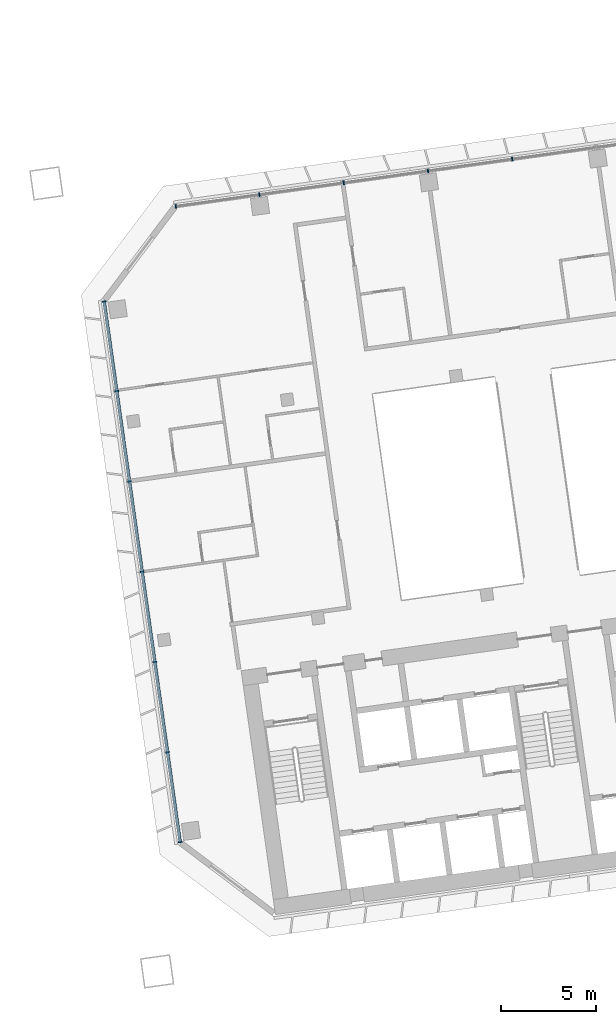
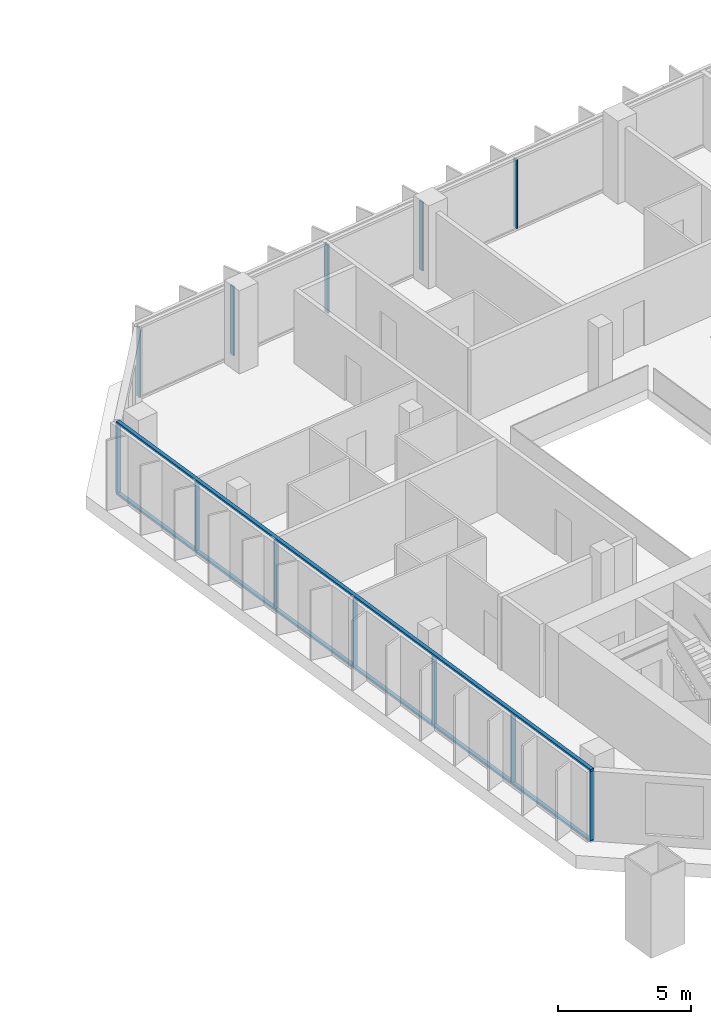
# One storey, part 7 of 26: 14 members, 2 elements without a shape of their own.
"""IFC4 building model written with IfcOpenShell, lengths in metres."""

from ifc_helpers import new_model, si_unit, direction, frame, origin, origin_2d, place, context, subcontext, project, spatial, rectangle, extrude, material, material_profile, profile_set, type_object, element, aggregate, save


model = new_model("IFC4")

# Units and contexts
model_context = context("Model", 3, precision=1e-05, world=origin(), true_north=direction((0.0, 1.0)))
body_context = subcontext(model_context, "Body", "Model", "MODEL_VIEW")
ifc_project = project(units=[si_unit("LENGTHUNIT", "METRE"), si_unit("AREAUNIT", "SQUARE_METRE"), si_unit("VOLUMEUNIT", "CUBIC_METRE"), si_unit("PLANEANGLEUNIT", "RADIAN"), si_unit("MASSUNIT", "GRAM", prefix="KILO")], contexts=[model_context])

# Site, building, storey
site_placement = place(None, origin())
site = spatial("IfcSite", under=ifc_project, at=site_placement, CompositionType="ELEMENT")
building_placement = place(site_placement, origin())
building = spatial("IfcBuilding", under=site, at=building_placement, Name="Mirante Cascada Hotel Towers", CompositionType="ELEMENT")
storey_placement = place(building_placement, frame((0.0, 0.0, 113.9)))
storey = spatial("IfcBuildingStorey", under=building, at=storey_placement, Name="L25", CompositionType="ELEMENT", Elevation=113.9)

# Curtain wall, members
ifc_material_1 = material(Name="Aluminium mullion and transom frame with clear laminated glass", Category="aluminium")
curtain_wall_type_1 = type_object("IfcCurtainWallType", Name="Ribbon curtain wall ECW1", PredefinedType="NOTDEFINED", material=ifc_material_1)
curtain_wall_1_placement = place(storey_placement, origin())
curtain_wall_1 = element("IfcCurtainWall", 1, at=curtain_wall_1_placement, inside=storey, type_object=curtain_wall_type_1, Name="Front ribbon wall T2 L25", PredefinedType="NOTDEFINED")
ifc_material_2 = material(Name="Anodised aluminium extrusion", Category="aluminium")
ifc_material_profile_1 = material_profile(ifc_material_2, rectangle(XDim=0.2, YDim=0.065, at=origin_2d()), Name="ECW1 MULLION 65x200")
ifc_profile_set_1 = profile_set([ifc_material_profile_1], Name="Anodised aluminium extrusion")
member_type_1 = type_object("IfcMemberType", Name="ECW1 mullion 65x200", PredefinedType="MULLION", material=ifc_profile_set_1)
member_1_placement = place(storey_placement, frame((49.684, 19.8017, 0.1), z_axis=(0.0, 0.0, 1.0), x_axis=(0.1391731, -0.9902681, 0.0)))
member_1 = element("IfcMember", 2, at=member_1_placement, type_object=member_type_1, Name="ECW1 mullion 11", PredefinedType="MULLION", context=body_context, shape_type="SweptSolid", body=[
    extrude(rectangle(XDim=0.2, YDim=0.065, at=origin_2d()), origin(), (0.0, 0.0, 1.0), 3.15),
])
member_2_placement = place(storey_placement, frame((45.2366, 19.1766, 0.1), z_axis=(0.0, 0.0, 1.0), x_axis=(0.1391731, -0.9902681, 0.0)))
member_2 = element("IfcMember", 3, at=member_2_placement, type_object=member_type_1, Name="ECW1 mullion 12", PredefinedType="MULLION", context=body_context, shape_type="SweptSolid", body=[
    extrude(rectangle(XDim=0.2, YDim=0.065, at=origin_2d()), origin(), (0.0, 0.0, 1.0), 3.15),
])
member_3_placement = place(storey_placement, frame((40.7892, 18.5516, 0.1), z_axis=(0.0, 0.0, 1.0), x_axis=(0.1391731, -0.9902681, 0.0)))
member_3 = element("IfcMember", 4, at=member_3_placement, type_object=member_type_1, Name="ECW1 mullion 13", PredefinedType="MULLION", context=body_context, shape_type="SweptSolid", body=[
    extrude(rectangle(XDim=0.2, YDim=0.065, at=origin_2d()), origin(), (0.0, 0.0, 1.0), 3.15),
])
member_4_placement = place(storey_placement, frame((36.3417, 17.9265, 0.1), z_axis=(0.0, 0.0, 1.0), x_axis=(0.1391731, -0.9902681, 0.0)))
member_4 = element("IfcMember", 5, at=member_4_placement, type_object=member_type_1, Name="ECW1 mullion 14", PredefinedType="MULLION", context=body_context, shape_type="SweptSolid", body=[
    extrude(rectangle(XDim=0.2, YDim=0.065, at=origin_2d()), origin(), (0.0, 0.0, 1.0), 3.15),
])
member_5_placement = place(storey_placement, frame((31.9265, 17.306, 0.1), z_axis=(0.0, 0.0, 1.0), x_axis=(0.1391731, -0.9902681, 0.0)))
member_5 = element("IfcMember", 6, at=member_5_placement, type_object=member_type_1, Name="ECW1 mullion 15", PredefinedType="MULLION", context=body_context, shape_type="SweptSolid", body=[
    extrude(rectangle(XDim=0.2, YDim=0.065, at=origin_2d()), origin(), (0.0, 0.0, 1.0), 3.15),
])
aggregate(curtain_wall_1, [member_1, member_2, member_3, member_4, member_5])

ifc_material_3 = material(Name="Aluminium mullion and transom frame with clear laminated glass", Category="aluminium")
curtain_wall_type_2 = type_object("IfcCurtainWallType", Name="End ribbon curtain wall ECW2", PredefinedType="NOTDEFINED", material=ifc_material_3)
curtain_wall_2_placement = place(storey_placement, origin())
curtain_wall_2 = element("IfcCurtainWall", 7, at=curtain_wall_2_placement, inside=storey, type_object=curtain_wall_type_2, Name="Inner end wall T2 L25", PredefinedType="NOTDEFINED")
ifc_material_4 = material(Name="Anodised aluminium extrusion", Category="aluminium")
ifc_material_profile_2 = material_profile(ifc_material_4, rectangle(XDim=0.2, YDim=0.065, at=origin_2d()), Name="ECW2 MULLION 65x200")
ifc_profile_set_2 = profile_set([ifc_material_profile_2], Name="Anodised aluminium extrusion")
member_type_2 = type_object("IfcMemberType", Name="ECW2 mullion 65x200", PredefinedType="MULLION", material=ifc_profile_set_2)
member_6_placement = place(storey_placement, frame((28.1437, 12.2861, 0.1), z_axis=(0.0, 0.0, 1.0), x_axis=(0.9902681, 0.1391731, 0.0)))
member_6 = element("IfcMember", 8, at=member_6_placement, type_object=member_type_2, Name="ECW2 mullion 1", PredefinedType="MULLION", context=body_context, shape_type="SweptSolid", body=[
    extrude(rectangle(XDim=0.2, YDim=0.065, at=origin_2d()), origin(), (0.0, 0.0, 1.0), 3.15),
])
member_7_placement = place(storey_placement, frame((28.809, 7.5524, 0.1), z_axis=(0.0, 0.0, 1.0), x_axis=(0.9902681, 0.1391731, 0.0)))
member_7 = element("IfcMember", 9, at=member_7_placement, type_object=member_type_2, Name="ECW2 mullion 2", PredefinedType="MULLION", context=body_context, shape_type="SweptSolid", body=[
    extrude(rectangle(XDim=0.2, YDim=0.065, at=origin_2d()), origin(), (0.0, 0.0, 1.0), 3.15),
])
member_8_placement = place(storey_placement, frame((29.4788, 2.7867, 0.1), z_axis=(0.0, 0.0, 1.0), x_axis=(0.9902681, 0.1391731, 0.0)))
member_8 = element("IfcMember", 10, at=member_8_placement, type_object=member_type_2, Name="ECW2 mullion 3", PredefinedType="MULLION", context=body_context, shape_type="SweptSolid", body=[
    extrude(rectangle(XDim=0.2, YDim=0.065, at=origin_2d()), origin(), (0.0, 0.0, 1.0), 3.15),
])
member_9_placement = place(storey_placement, frame((30.1485, -1.9791, 0.1), z_axis=(0.0, 0.0, 1.0), x_axis=(0.9902681, 0.1391731, 0.0)))
member_9 = element("IfcMember", 11, at=member_9_placement, type_object=member_type_2, Name="ECW2 mullion 4", PredefinedType="MULLION", context=body_context, shape_type="SweptSolid", body=[
    extrude(rectangle(XDim=0.2, YDim=0.065, at=origin_2d()), origin(), (0.0, 0.0, 1.0), 3.15),
])
member_10_placement = place(storey_placement, frame((30.8183, -6.7449, 0.1), z_axis=(0.0, 0.0, 1.0), x_axis=(0.9902681, 0.1391731, 0.0)))
member_10 = element("IfcMember", 12, at=member_10_placement, type_object=member_type_2, Name="ECW2 mullion 5", PredefinedType="MULLION", context=body_context, shape_type="SweptSolid", body=[
    extrude(rectangle(XDim=0.2, YDim=0.065, at=origin_2d()), origin(), (0.0, 0.0, 1.0), 3.15),
])
member_11_placement = place(storey_placement, frame((31.4881, -11.5107, 0.1), z_axis=(0.0, 0.0, 1.0), x_axis=(0.9902681, 0.1391731, 0.0)))
member_11 = element("IfcMember", 13, at=member_11_placement, type_object=member_type_2, Name="ECW2 mullion 6", PredefinedType="MULLION", context=body_context, shape_type="SweptSolid", body=[
    extrude(rectangle(XDim=0.2, YDim=0.065, at=origin_2d()), origin(), (0.0, 0.0, 1.0), 3.15),
])
member_12_placement = place(storey_placement, frame((32.1534, -16.2443, 0.1), z_axis=(0.0, 0.0, 1.0), x_axis=(0.9902681, 0.1391731, 0.0)))
member_12 = element("IfcMember", 14, at=member_12_placement, type_object=member_type_2, Name="ECW2 mullion 7", PredefinedType="MULLION", context=body_context, shape_type="SweptSolid", body=[
    extrude(rectangle(XDim=0.2, YDim=0.065, at=origin_2d()), origin(), (0.0, 0.0, 1.0), 3.15),
])
ifc_material_5 = material(Name="Anodised aluminium extrusion", Category="aluminium")
ifc_material_profile_3 = material_profile(ifc_material_5, rectangle(XDim=0.16, YDim=0.1, at=origin_2d()), Name="ECW2 TRANSOM 100x160")
ifc_profile_set_3 = profile_set([ifc_material_profile_3], Name="Anodised aluminium extrusion")
member_type_3 = type_object("IfcMemberType", Name="ECW2 transom 100x160", PredefinedType="USERDEFINED", material=ifc_profile_set_3)
member_13_placement = place(storey_placement, frame((28.1392, 12.3182, 0.05), z_axis=(0.1391723, -0.9902682, 0.0), x_axis=(0.9902682, 0.1391723, 0.0)))
member_13 = element("IfcMember", 15, at=member_13_placement, type_object=member_type_3, Name="ECW2 sill transom", ObjectType="TRANSOM", PredefinedType="USERDEFINED", context=body_context, shape_type="SweptSolid", body=[
    extrude(rectangle(XDim=0.16, YDim=0.1, at=origin_2d()), origin(), (0.0, 0.0, 1.0), 28.8757),
])
member_14_placement = place(storey_placement, frame((28.1392, 12.3182, 3.3), z_axis=(0.1391723, -0.9902682, 0.0), x_axis=(0.9902682, 0.1391723, 0.0)))
member_14 = element("IfcMember", 16, at=member_14_placement, type_object=member_type_3, Name="ECW2 head transom", ObjectType="TRANSOM", PredefinedType="USERDEFINED", context=body_context, shape_type="SweptSolid", body=[
    extrude(rectangle(XDim=0.16, YDim=0.1, at=origin_2d()), origin(), (0.0, 0.0, 1.0), 28.8757),
])
aggregate(curtain_wall_2, [member_13, member_14, member_6, member_7, member_8, member_9, member_10, member_11, member_12])

save(model, "model.ifc")
